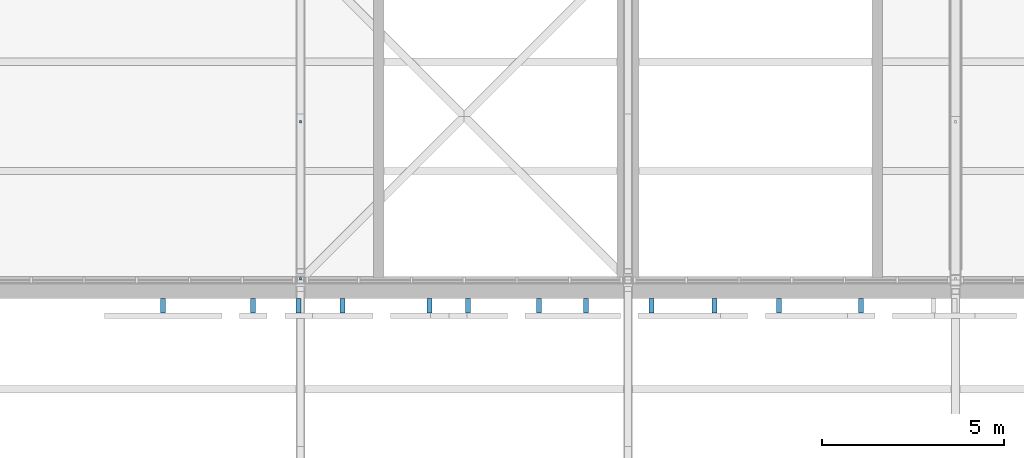
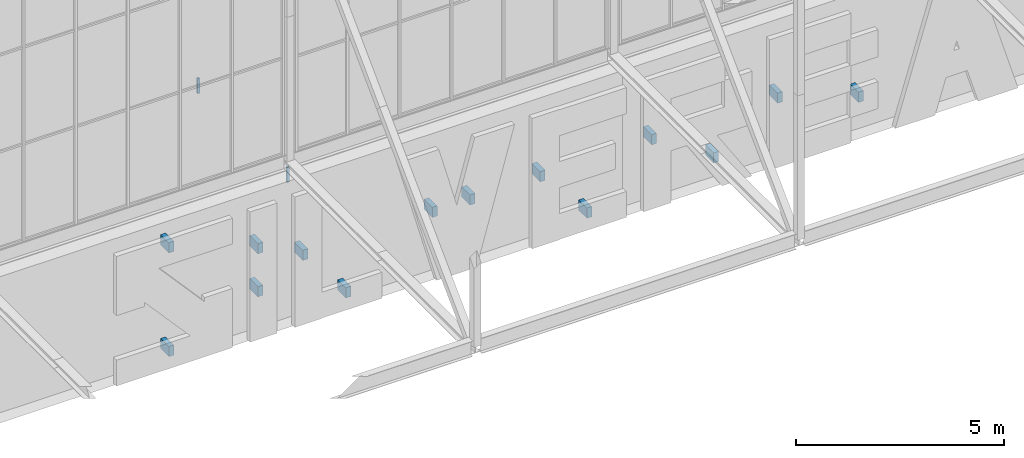
# One storey, part 180 of 646: 16 discrete accessories.
"""IFC4 building model written with IfcOpenShell, lengths in metres."""

from ifc_helpers import new_model, si_unit, direction, frame, origin, origin_2d, place, context, subcontext, project, spatial, rectangle, extrude, material, type_object, element, save


model = new_model("IFC4")

# Units and contexts
model_context = context("Model", 3, precision=1e-05, world=origin(), true_north=direction((0.0, 1.0)))
body_context = subcontext(model_context, "Body", "Model", "MODEL_VIEW")
ifc_project = project(units=[si_unit("LENGTHUNIT", "METRE"), si_unit("AREAUNIT", "SQUARE_METRE"), si_unit("VOLUMEUNIT", "CUBIC_METRE"), si_unit("PLANEANGLEUNIT", "RADIAN"), si_unit("MASSUNIT", "GRAM", prefix="KILO")], contexts=[model_context])

# Site, building, storey
site_placement = place(None, origin())
site = spatial("IfcSite", under=ifc_project, at=site_placement, CompositionType="ELEMENT")
building_placement = place(site_placement, origin())
building = spatial("IfcBuilding", under=site, at=building_placement, Name="Silverbay Arena", CompositionType="ELEMENT")
storey_placement = place(building_placement, frame((0.0, 0.0, 33.5)))
storey = spatial("IfcBuildingStorey", under=building, at=storey_placement, Name="L05", CompositionType="ELEMENT", Elevation=33.5)

# Discrete accessories
ifc_material_1 = material(Name="Steel S355", Category="steel")
discrete_accessory_type_1 = type_object("IfcDiscreteAccessoryType", Name="Ceiling hanger", PredefinedType="BRACKET", material=ifc_material_1)
for number, where, z_axis, x_axis, name in (
    (1, (90.0, 18.0400390625, 3.5498046875), (0.0, 0.0, 1.0), (1.0, 0.0, 0.0), "Ceiling hanger"),
    (2, (90.0, 22.35009765625, 3.5498046875), (0.0, 0.0, 1.0), (1.0, 0.0, 0.0), "Ceiling hanger"),
):
    element("IfcDiscreteAccessory", number, at=place(storey_placement, frame(where, z_axis=z_axis, x_axis=x_axis)), inside=storey, type_object=discrete_accessory_type_1, Name=name, PredefinedType="BRACKET", context=body_context, shape_type="SweptSolid", body=[
        extrude(rectangle(XDim=0.06005859375, YDim=0.06005859375, at=origin_2d()), origin(), (0.0, 0.0, 1.0), 0.449951171875),
    ])
ifc_material_2 = material(Name="Steel S355", Category="steel")
discrete_accessory_type_2 = type_object("IfcDiscreteAccessoryType", Name="Steel bracket plate", PredefinedType="BRACKET", material=ifc_material_2)
for number, where, z_axis, x_axis, name in (
    (3, (86.22509765625, 17.300048828125, 3.375), (0.0, 0.0, 1.0), (1.0, 0.0, 0.0), "Name band bracket plate"),
    (4, (86.22509765625, 17.300048828125, 0.3251953125), (0.0, 0.0, 1.0), (1.0, 0.0, 0.0), "Name band bracket plate"),
    (5, (88.699951171875, 17.300048828125, 1.216796875), (0.0, 0.0, 1.0), (1.0, 0.0, 0.0), "Name band bracket plate"),
    (6, (88.699951171875, 17.300048828125, 2.4833984375), (0.0, 0.0, 1.0), (1.0, 0.0, 0.0), "Name band bracket plate"),
    (7, (89.949951171875, 17.300048828125, 1.85009765625), (0.0, 0.0, 1.0), (1.0, 0.0, 0.0), "Name band bracket plate"),
    (8, (91.14990234375, 17.300048828125, 0.3251953125), (0.0, 0.0, 1.0), (1.0, 0.0, 0.0), "Name band bracket plate"),
    (9, (93.550048828125, 17.300048828125, 1.85009765625), (0.0, 0.0, 1.0), (1.0, 0.0, 0.0), "Name band bracket plate"),
    (10, (94.60009765625, 17.300048828125, 1.85009765625), (0.0, 0.0, 1.0), (1.0, 0.0, 0.0), "Name band bracket plate"),
    (11, (96.550048828125, 17.300048828125, 1.85009765625), (0.0, 0.0, 1.0), (1.0, 0.0, 0.0), "Name band bracket plate"),
    (12, (97.85009765625, 17.300048828125, 0.3251953125), (0.0, 0.0, 1.0), (1.0, 0.0, 0.0), "Name band bracket plate"),
    (13, (99.64990234375, 17.300048828125, 1.85009765625), (0.0, 0.0, 1.0), (1.0, 0.0, 0.0), "Name band bracket plate"),
    (14, (101.375, 17.300048828125, 0.71240234375), (0.0, 0.0, 1.0), (1.0, 0.0, 0.0), "Name band bracket plate"),
    (15, (103.14990234375, 17.300048828125, 1.85009765625), (0.0, 0.0, 1.0), (1.0, 0.0, 0.0), "Name band bracket plate"),
    (16, (105.39990234375, 17.300048828125, 1.08740234375), (0.0, 0.0, 1.0), (1.0, 0.0, 0.0), "Name band bracket plate"),
):
    element("IfcDiscreteAccessory", number, at=place(storey_placement, frame(where, z_axis=z_axis, x_axis=x_axis)), inside=storey, type_object=discrete_accessory_type_2, Name=name, PredefinedType="BRACKET", context=body_context, shape_type="SweptSolid", body=[
        extrude(rectangle(XDim=0.139892578125, YDim=0.39990234375, at=origin_2d()), origin(), (0.0, 0.0, 1.0), 0.300048828125),
    ])

save(model, "model.ifc")
